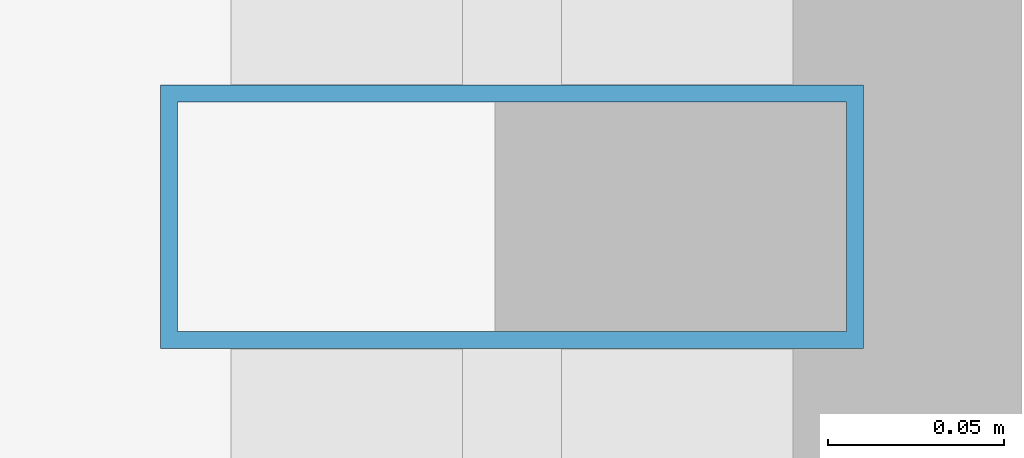
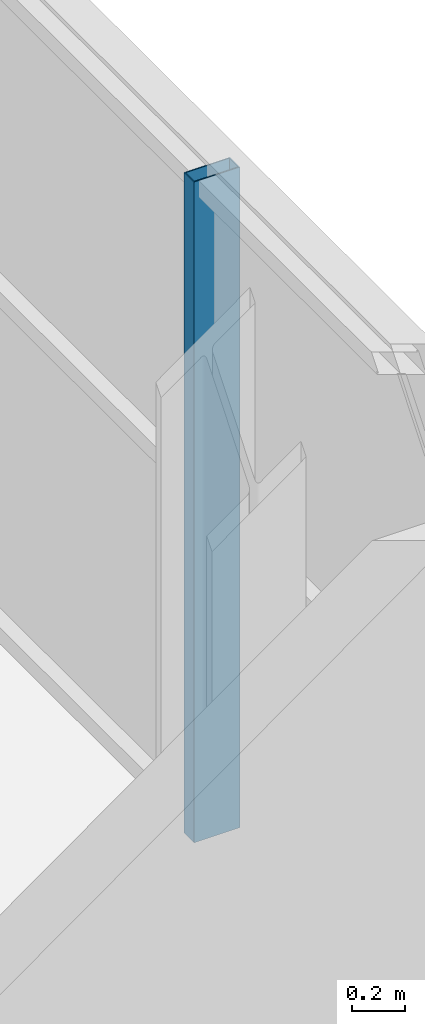
# One storey, part 15 of 31: 1 member, 1 element without a shape of its own.
"""IFC4 building model written with IfcOpenShell, lengths in metres."""

from ifc_helpers import new_model, si_unit, direction, frame, origin, origin_2d, place, context, subcontext, project, spatial, hollow_rectangle, extrude, source, transform, mapped, material, layer, layer_set, material_profile, profile_set, type_object, element, aggregate, save


model = new_model("IFC4")

# Units and contexts
model_context = context("Model", 3, precision=1e-05, world=origin(), true_north=direction((0.0, 1.0)))
body_context = subcontext(model_context, "Body", "Model", "MODEL_VIEW")
ifc_project = project(units=[si_unit("LENGTHUNIT", "METRE"), si_unit("AREAUNIT", "SQUARE_METRE"), si_unit("VOLUMEUNIT", "CUBIC_METRE"), si_unit("PLANEANGLEUNIT", "RADIAN"), si_unit("MASSUNIT", "GRAM", prefix="KILO")], contexts=[model_context])

# Site, building, storey
site_placement = place(None, origin())
site = spatial("IfcSite", under=ifc_project, at=site_placement, CompositionType="ELEMENT")
building_placement = place(site_placement, origin())
building = spatial("IfcBuilding", under=site, at=building_placement, Name="Zarnakvel Exchange Tower", CompositionType="ELEMENT")
storey_placement = place(building_placement, frame((0.0, 0.0, 53.800048828125)))
storey = spatial("IfcBuildingStorey", under=building, at=storey_placement, Name="L14", CompositionType="ELEMENT", Elevation=53.800048828125)

# Curtain wall, member
ifc_material = material(Name="Architectural Bronze Anodised Aluminium", Category="aluminium")
ifc_layer = layer(ifc_material, 0.199951171875)
ifc_layer_set = layer_set([ifc_layer], Name="Architectural Bronze Anodised Aluminium")
curtain_wall_type = type_object("IfcCurtainWallType", Name="CW-04", PredefinedType="NOTDEFINED", material=ifc_layer_set)
curtain_wall_placement = place(storey_placement, origin())
curtain_wall = element("IfcCurtainWall", 1, at=curtain_wall_placement, inside=storey, type_object=curtain_wall_type, Name="L14 Curtain Wall CW-L14-E1 (CW-04)", PredefinedType="NOTDEFINED")
ifc_material_profile = material_profile(ifc_material, hollow_rectangle(XDim=0.199951171875, YDim=0.074951171875, WallThickness=0.0048828125, at=origin_2d()))
ifc_profile_set = profile_set([ifc_material_profile], Name="Architectural Bronze Anodised Aluminium")
member_type = type_object("IfcMemberType", Name="CWM-04", PredefinedType="MULLION", material=ifc_profile_set)
shared_shape = source(origin(), body_context, "Body", "SweptSolid", [
    extrude(hollow_rectangle(XDim=0.199951171875, YDim=0.074951171875, WallThickness=0.0048828125, at=origin_2d()), origin(), (0.0, 0.0, 1.0), 3.054931640625),
])
member_placement = place(storey_placement, frame((32.4599609375, 0.0, 0.0), z_axis=(0.0, 0.0, 1.0), x_axis=(-1.0, 0.0, 0.0)))
member = element("IfcMember", 2, at=member_placement, type_object=member_type, Name="CW-04 mullion 3", PredefinedType="MULLION", context=body_context, shape_type="MappedRepresentation", body=[
    mapped(shared_shape, transform((0.0, 0.0, 0.0), x_axis=(1.0, 0.0, 0.0), y_axis=(0.0, 1.0, 0.0), z_axis=(0.0, 0.0, 1.0), scale=1.0)),
])
aggregate(curtain_wall, [member])

save(model, "model.ifc")
